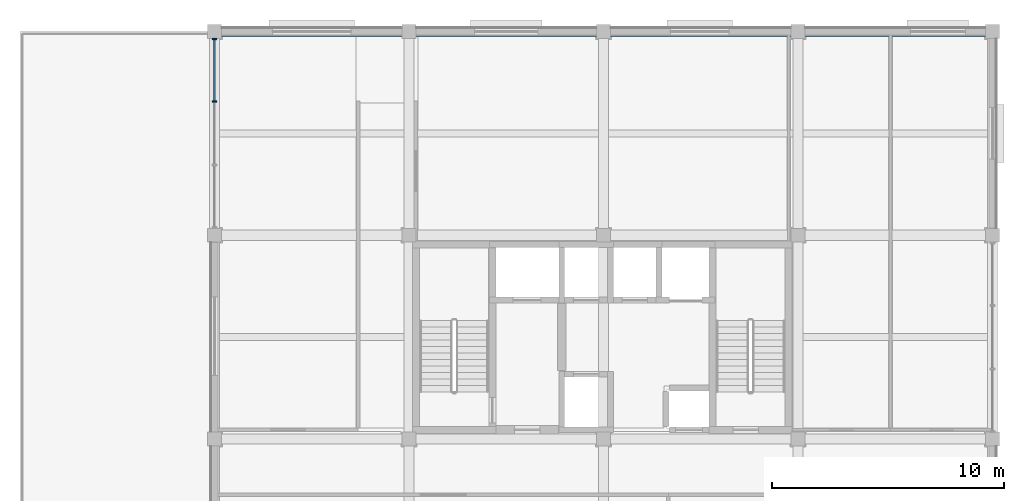
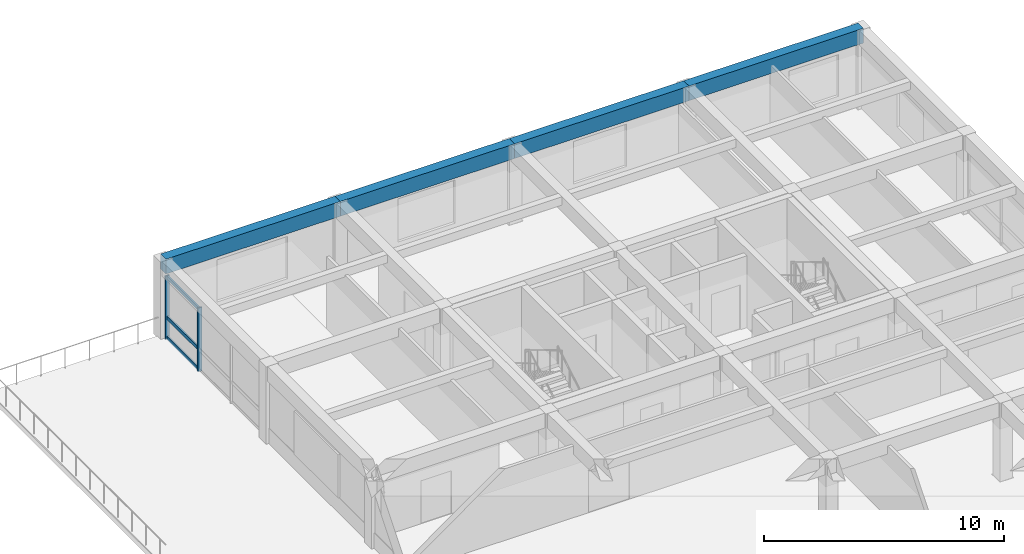
# One storey, part 4 of 10: 5 members, 4 beams, 1 element without a shape of its own.
"""IFC4 building model written with IfcOpenShell, lengths in metres."""

from ifc_helpers import new_model, si_unit, direction, frame, origin, origin_2d, place, context, subcontext, project, spatial, rectangle, extrude, material, material_profile, profile_set, type_object, element, aggregate, save


model = new_model("IFC4")

# Units and contexts
model_context = context("Model", 3, precision=1e-05, world=origin(), true_north=direction((0.0, 1.0)))
body_context = subcontext(model_context, "Body", "Model", "MODEL_VIEW")
ifc_project = project(units=[si_unit("LENGTHUNIT", "METRE"), si_unit("AREAUNIT", "SQUARE_METRE"), si_unit("VOLUMEUNIT", "CUBIC_METRE"), si_unit("PLANEANGLEUNIT", "RADIAN"), si_unit("MASSUNIT", "GRAM", prefix="KILO")], contexts=[model_context])

# Site, building, storey
site_placement = place(None, origin())
site = spatial("IfcSite", under=ifc_project, at=site_placement, CompositionType="ELEMENT")
building_placement = place(site_placement, origin())
building = spatial("IfcBuilding", under=site, at=building_placement, Name="Kemercrest Conservatory and Botanical Centre", CompositionType="ELEMENT")
storey_placement = place(building_placement, frame((0.0, 0.0, 48.199951171875)))
storey = spatial("IfcBuildingStorey", under=building, at=storey_placement, Name="L12", CompositionType="ELEMENT", Elevation=48.199951171875)

# Curtain wall, members
ifc_material_1 = material(Name="Thermally broken aluminium and triple low-e glazing", Category="aluminium")
curtain_wall_type = type_object("IfcCurtainWallType", Name="CW-13", PredefinedType="USERDEFINED", material=ifc_material_1)
curtain_wall_placement = place(storey_placement, origin())
curtain_wall = element("IfcCurtainWall", 1, at=curtain_wall_placement, inside=storey, type_object=curtain_wall_type, Name="Unitised curtain wall CW-13 (CW:L12:V4-132)", ObjectType="UNITISED CURTAIN WALL", PredefinedType="USERDEFINED")
ifc_material_2 = material(Name="Thermally broken anodized aluminium 6063-T6", Category="aluminium")
ifc_material_profile_1 = material_profile(ifc_material_2, rectangle(XDim=0.199951171875, YDim=0.06494140625, at=origin_2d()), Name="AL MULLION 65x200")
ifc_profile_set_1 = profile_set([ifc_material_profile_1], Name="Thermally broken anodized aluminium 6063-T6")
member_type_1 = type_object("IfcMemberType", Name="CW-M200", PredefinedType="MULLION", material=ifc_profile_set_1)
member_1_placement = place(storey_placement, frame((142.39990234375, 122.072509765625, 0.0), z_axis=(0.0, 0.0, 1.0), x_axis=(1.0, 0.0, 0.0)))
member_1 = element("IfcMember", 2, at=member_1_placement, type_object=member_type_1, Name="CW-13 mullion 1", PredefinedType="MULLION", context=body_context, shape_type="SweptSolid", body=[
    extrude(rectangle(XDim=0.199951171875, YDim=0.06494140625, at=origin_2d()), origin(), (0.0, 0.0, 1.0), 3.255126953125),
])
member_2_placement = place(storey_placement, frame((142.39990234375, 119.368408203125, 0.0), z_axis=(0.0, 0.0, 1.0), x_axis=(1.0, 0.0, 0.0)))
member_2 = element("IfcMember", 3, at=member_2_placement, type_object=member_type_1, Name="CW-13 mullion 2", PredefinedType="MULLION", context=body_context, shape_type="SweptSolid", body=[
    extrude(rectangle(XDim=0.199951171875, YDim=0.06494140625, at=origin_2d()), origin(), (0.0, 0.0, 1.0), 3.255126953125),
])
ifc_material_profile_2 = material_profile(ifc_material_2, rectangle(XDim=0.074951171875, YDim=0.179931640625, at=origin_2d()), Name="AL TRANSOM 75x180")
ifc_profile_set_2 = profile_set([ifc_material_profile_2], Name="Thermally broken anodized aluminium 6063-T6")
member_type_2 = type_object("IfcMemberType", Name="CW-T180", PredefinedType="USERDEFINED", material=ifc_profile_set_2)
member_3_placement = place(storey_placement, frame((142.39990234375, 122.0400390625, 0.090087890625), z_axis=(0.0, -1.0, 0.0), x_axis=(1.0, 0.0, 0.0)))
member_3 = element("IfcMember", 4, at=member_3_placement, type_object=member_type_2, Name="CW-13 transom 1.1", ObjectType="TRANSOM", PredefinedType="USERDEFINED", context=body_context, shape_type="SweptSolid", body=[
    extrude(rectangle(XDim=0.074951171875, YDim=0.179931640625, at=origin_2d()), origin(), (0.0, 0.0, 1.0), 2.63916015625),
])
member_4_placement = place(storey_placement, frame((142.39990234375, 122.0400390625, 1.1201171875), z_axis=(0.0, -1.0, 0.0), x_axis=(1.0, 0.0, 0.0)))
member_4 = element("IfcMember", 5, at=member_4_placement, type_object=member_type_2, Name="CW-13 transom 1.2", ObjectType="TRANSOM", PredefinedType="USERDEFINED", context=body_context, shape_type="SweptSolid", body=[
    extrude(rectangle(XDim=0.074951171875, YDim=0.179931640625, at=origin_2d()), origin(), (0.0, 0.0, 1.0), 2.63916015625),
])
member_5_placement = place(storey_placement, frame((142.39990234375, 122.0400390625, 3.1650390625), z_axis=(0.0, -1.0, 0.0), x_axis=(1.0, 0.0, 0.0)))
member_5 = element("IfcMember", 6, at=member_5_placement, type_object=member_type_2, Name="CW-13 transom 1.3", ObjectType="TRANSOM", PredefinedType="USERDEFINED", context=body_context, shape_type="SweptSolid", body=[
    extrude(rectangle(XDim=0.074951171875, YDim=0.179931640625, at=origin_2d()), origin(), (0.0, 0.0, 1.0), 2.63916015625),
])
aggregate(curtain_wall, [member_1, member_2, member_3, member_4, member_5])

# Beams
ifc_material_3 = material(Name="Concrete C40/50", Category="concrete")
ifc_material_profile_3 = material_profile(ifc_material_3, rectangle(XDim=0.449951171875, YDim=0.75, at=origin_2d()), Name="RC 450x750")
ifc_profile_set_3 = profile_set([ifc_material_profile_3], Name="Concrete C40/50")
beam_type = type_object("IfcBeamType", Name="SP-RC75", PredefinedType="SPANDREL", material=ifc_profile_set_3)
beam_1_placement = place(storey_placement, frame((142.39990234375, 122.39990234375, 3.625), z_axis=(1.0, 0.0, 0.0), x_axis=(0.0, 1.0, 0.0)))
element("IfcBeam", 7, at=beam_1_placement, inside=storey, type_object=beam_type, Name="V4-L13 beam SP-RC75 P/17-18", PredefinedType="SPANDREL", context=body_context, shape_type="SweptSolid", body=[
    extrude(rectangle(XDim=0.449951171875, YDim=0.75, at=origin_2d()), origin(), (0.0, 0.0, 1.0), 8.400146484375),
])
beam_2_placement = place(storey_placement, frame((150.800048828125, 122.39990234375, 3.625), z_axis=(1.0, 0.0, 0.0), x_axis=(0.0, 1.0, 0.0)))
element("IfcBeam", 8, at=beam_2_placement, inside=storey, type_object=beam_type, Name="V4-L13 beam SP-RC75 P/18-19", PredefinedType="SPANDREL", context=body_context, shape_type="SweptSolid", body=[
    extrude(rectangle(XDim=0.449951171875, YDim=0.75, at=origin_2d()), origin(), (0.0, 0.0, 1.0), 8.39990234375),
])
beam_3_placement = place(storey_placement, frame((159.199951171875, 122.39990234375, 3.625), z_axis=(1.0, 0.0, 0.0), x_axis=(0.0, 1.0, 0.0)))
element("IfcBeam", 9, at=beam_3_placement, inside=storey, type_object=beam_type, Name="V4-L13 beam SP-RC75 P/19-20", PredefinedType="SPANDREL", context=body_context, shape_type="SweptSolid", body=[
    extrude(rectangle(XDim=0.449951171875, YDim=0.75, at=origin_2d()), origin(), (0.0, 0.0, 1.0), 8.400146484375),
])
beam_4_placement = place(storey_placement, frame((167.60009765625, 122.39990234375, 3.625), z_axis=(1.0, 0.0, 0.0), x_axis=(0.0, 1.0, 0.0)))
element("IfcBeam", 10, at=beam_4_placement, inside=storey, type_object=beam_type, Name="V4-L13 beam SP-RC75 P/20-21", PredefinedType="SPANDREL", context=body_context, shape_type="SweptSolid", body=[
    extrude(rectangle(XDim=0.449951171875, YDim=0.75, at=origin_2d()), origin(), (0.0, 0.0, 1.0), 8.39990234375),
])

save(model, "model.ifc")
